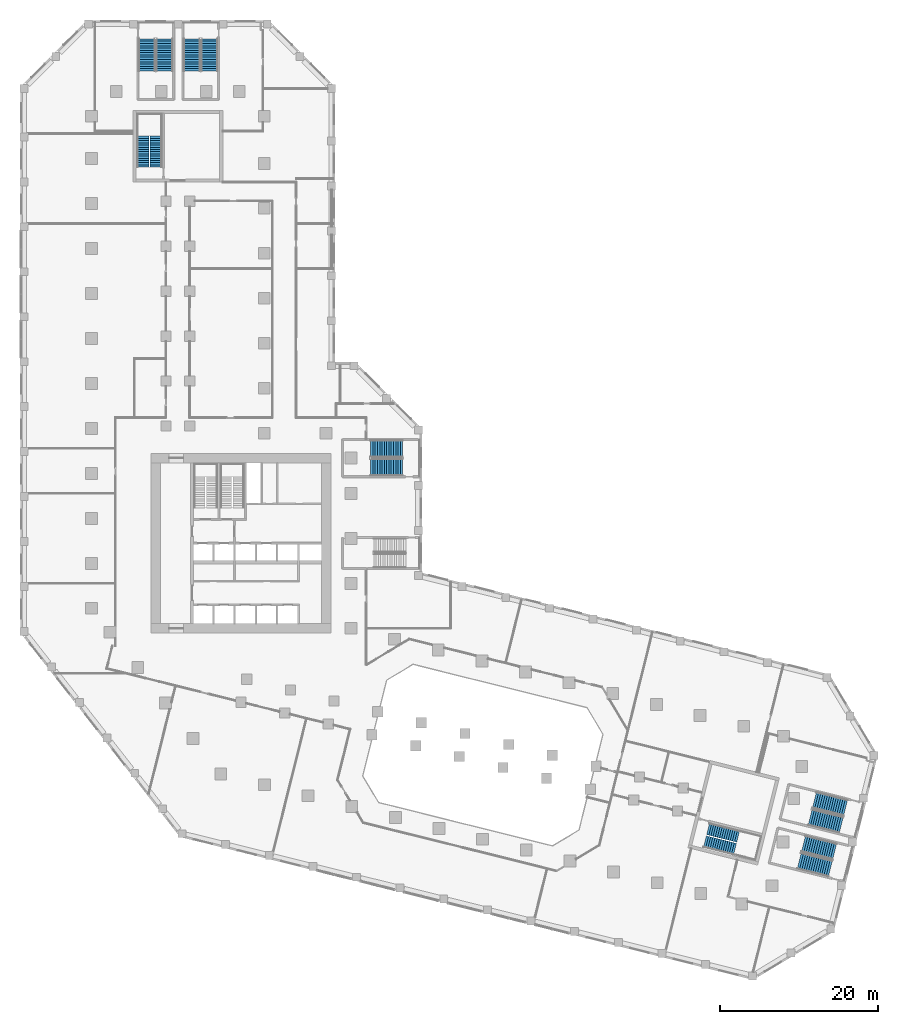
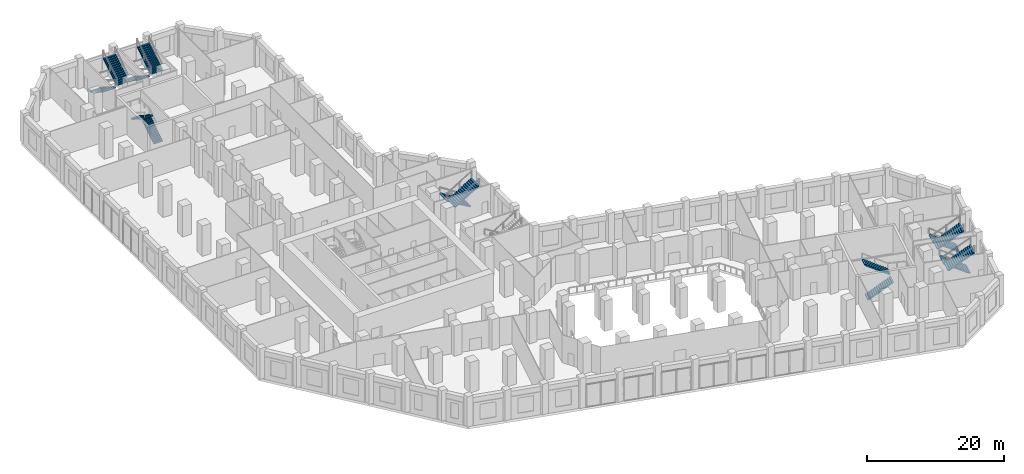
# One storey, part 18 of 23: 14 stair flights, 7 elements without a shape of their own.
"""IFC4 building model written with IfcOpenShell, lengths in metres."""

import ifcopenshell
import ifcopenshell.guid

model = None  # the IFC model being written
_history = None  # IfcOwnerHistory: only IFC2X3 demands one
_inside = {}  # id of a spatial element -> (the spatial element, [elements in it])
_under = {}  # id of a project, library or spatial element -> (it, [spatial elements below it])
_declared = {}  # id of a project -> (the project, [libraries it declares])
_typed = {}  # id of a type object -> (the type object, [elements of that type])
_made_of = {}  # id of a material, layer set ... -> (it, [elements and type objects made of it])


def new_model(schema):
    """Start an empty IFC model of exactly this schema.

    Asked for "IFC4X3", IfcOpenShell would pick the latest addendum, in which some entities
    have other attributes; the version numbers below select the first issue.
    IFC2X3 requires an IfcOwnerHistory on every rooted entity: one is made here for all.
    """
    global model, _history
    if schema == "IFC4X3":
        model = ifcopenshell.file(schema_version=(4, 3, 0, 0))
    else:
        model = ifcopenshell.file(schema=schema)
    _inside.clear()
    _under.clear()
    _declared.clear()
    _typed.clear()
    _made_of.clear()
    _history = None
    if model.schema == "IFC2X3":
        org = make("IfcOrganization", Name="unknown")
        user = make(
            "IfcPersonAndOrganization",
            ThePerson=make("IfcPerson", FamilyName="unknown"),
            TheOrganization=org,
        )
        app = make(
            "IfcApplication",
            ApplicationDeveloper=org,
            Version="unknown",
            ApplicationFullName="unknown",
            ApplicationIdentifier="unknown",
        )
        _history = make(
            "IfcOwnerHistory",
            OwningUser=user,
            OwningApplication=app,
            ChangeAction="ADDED",
            CreationDate=0,
        )
    return model


def make(cls, **values):
    """One entity of the class cls with the attributes given. An attribute that is None is left unset."""
    return model.create_entity(
        cls, **{name: value for name, value in values.items() if value is not None}
    )


def rooted(cls, **values):
    """An entity with a GlobalId (a new one), such as an element, a storey or a relation."""
    return make(cls, GlobalId=ifcopenshell.guid.new(), OwnerHistory=_history, **values)


def si_unit(unit_type, name, prefix=None):
    """IfcSIUnit, for example si_unit("LENGTHUNIT", "METRE", prefix="MILLI")."""
    return make("IfcSIUnit", UnitType=unit_type, Prefix=prefix, Name=name)


def assignment(units):
    """IfcUnitAssignment: the units of a project."""
    return None if units is None else make("IfcUnitAssignment", Units=units)


def point(xyz):
    """IfcCartesianPoint."""
    return None if xyz is None else make("IfcCartesianPoint", Coordinates=xyz)


def direction(xyz):
    """IfcDirection."""
    return None if xyz is None else make("IfcDirection", DirectionRatios=xyz)


def frame(location, z_axis=None, x_axis=None):
    """IfcAxis2Placement3D, a coordinate frame: its origin and axes. An axis left out is left unset."""
    return make(
        "IfcAxis2Placement3D",
        Location=point(location),
        Axis=direction(z_axis),
        RefDirection=direction(x_axis),
    )


def origin():
    """The frame at (0, 0, 0) with its axes left unset."""
    return frame((0.0, 0.0, 0.0))


def place(relative_to, where):
    """IfcLocalPlacement: puts the frame where relative to a parent placement (None: the world)."""
    return make(
        "IfcLocalPlacement", PlacementRelTo=relative_to, RelativePlacement=where
    )


def context(
    kind, dimensions, precision=None, world=None, true_north=None, identifier=None
):
    """IfcGeometricRepresentationContext, for example the 3D "Model" context."""
    return make(
        "IfcGeometricRepresentationContext",
        ContextIdentifier=identifier,
        ContextType=kind,
        CoordinateSpaceDimension=dimensions,
        Precision=precision,
        WorldCoordinateSystem=world,
        TrueNorth=true_north,
    )


def subcontext(parent, identifier, kind, view, scale=None):
    """IfcGeometricRepresentationSubContext, for example "Body" below "Model"."""
    return make(
        "IfcGeometricRepresentationSubContext",
        ContextIdentifier=identifier,
        ContextType=kind,
        ParentContext=parent,
        TargetScale=scale,
        TargetView=view,
    )


def project(units=None, contexts=None):
    """IfcProject with its units and contexts."""
    return rooted(
        "IfcProject",
        Name="project",
        RepresentationContexts=contexts,
        UnitsInContext=assignment(units),
    )


def spatial(cls, under=None, at=None, **own):
    """A site, building, storey or space (cls), placed at a placement, below another one or the project."""
    s = rooted(cls, ObjectPlacement=at, **own)
    if under is not None:
        _under.setdefault(under.id(), (under, []))[1].append(s)
    return s


def polyline(points):
    """IfcPolyline through the points."""
    return make("IfcPolyline", Points=[point(p) for p in points])


def outline(outer, holes=None, kind="AREA"):
    """IfcArbitraryClosedProfileDef: a profile drawn as a closed curve; with holes, ...WithVoids."""
    if holes is None:
        return make("IfcArbitraryClosedProfileDef", ProfileType=kind, OuterCurve=outer)
    return make(
        "IfcArbitraryProfileDefWithVoids",
        ProfileType=kind,
        OuterCurve=outer,
        InnerCurves=holes,
    )


def extrude(swept, where, along, depth):
    """IfcExtrudedAreaSolid: the profile swept, set in the frame where, extruded along a direction by depth."""
    return make(
        "IfcExtrudedAreaSolid",
        SweptArea=swept,
        Position=where,
        ExtrudedDirection=direction(along),
        Depth=depth,
    )


def shape(context_of_items, identifier, shape_type, items):
    """IfcShapeRepresentation: the items that make up one representation, for example the "Body"."""
    return make(
        "IfcShapeRepresentation",
        ContextOfItems=context_of_items,
        RepresentationIdentifier=identifier,
        RepresentationType=shape_type,
        Items=items,
    )


def material(Name=None, Category=None):
    """IfcMaterial."""
    return make("IfcMaterial", Name=Name, Category=Category)


def made_of(thing, what):
    """Note that an element or type object is made of a material, layer set ...; save() writes the relation."""
    if what is not None:
        _made_of.setdefault(what.id(), (what, []))[1].append(thing)
    return thing


def type_object(cls, material=None, **own):
    """A type object (cls), such as IfcWallType, which elements share."""
    return made_of(rooted(cls, **own), material)


def element(
    cls,
    number,
    at=None,
    inside=None,
    cuts=None,
    type_object=None,
    material=None,
    context=None,
    identifier="Body",
    shape_type=None,
    held_by="IfcProductDefinitionShape",
    body=None,
    shapes=None,
    **own,
):
    """One element of the class cls, such as IfcWall. Its Tag is "e" and its number.

    at: its placement. inside: the storey or other place that contains it. cuts: it is an
    opening in that element (IfcRelVoidsElement). A single representation is given by context,
    identifier, shape_type and body (its items); several are given by shapes. held_by: the class
    of the entity that holds the representations. save() writes the other relations.
    """
    e = rooted(cls, Tag="e%d" % number, ObjectPlacement=at, **own)
    if body is not None:
        shapes = [shape(context, identifier, shape_type, body)]
    if shapes is not None:
        e.Representation = make(held_by, Representations=shapes)
    if inside is not None:
        _inside.setdefault(inside.id(), (inside, []))[1].append(e)
    if cuts is not None:
        rooted(
            "IfcRelVoidsElement", RelatingBuildingElement=cuts, RelatedOpeningElement=e
        )
    if type_object is not None:
        _typed.setdefault(type_object.id(), (type_object, []))[1].append(e)
    return made_of(e, material)


def aggregate(whole, parts):
    """IfcRelAggregates: a whole, such as a stair, and the parts it consists of."""
    return rooted("IfcRelAggregates", RelatingObject=whole, RelatedObjects=parts)


def save(model, path):
    """Write the relations noted so far, then the file.

    IfcRelAggregates (storeys below a building ...), IfcRelContainedInSpatialStructure (elements
    in a storey), IfcRelDefinesByType, IfcRelAssociatesMaterial and IfcRelDeclares: one each for
    every whole, place, type object, material and project.
    """
    for whole, parts in _under.values():
        aggregate(whole, parts)
    for where, things in _inside.values():
        rooted(
            "IfcRelContainedInSpatialStructure",
            RelatedElements=things,
            RelatingStructure=where,
        )
    for kind, things in _typed.values():
        rooted("IfcRelDefinesByType", RelatedObjects=things, RelatingType=kind)
    for what, things in _made_of.values():
        rooted("IfcRelAssociatesMaterial", RelatedObjects=things, RelatingMaterial=what)
    for by, libraries in _declared.values():
        rooted("IfcRelDeclares", RelatingContext=by, RelatedDefinitions=libraries)
    model.write(path)


model = new_model("IFC4")

# Units and contexts
model_context = context("Model", 3, precision=1e-05, world=origin(), true_north=direction((0.0, 1.0)))
body_context = subcontext(model_context, "Body", "Model", "MODEL_VIEW")
ifc_project = project(units=[si_unit("LENGTHUNIT", "METRE"), si_unit("AREAUNIT", "SQUARE_METRE"), si_unit("VOLUMEUNIT", "CUBIC_METRE"), si_unit("PLANEANGLEUNIT", "RADIAN"), si_unit("MASSUNIT", "GRAM", prefix="KILO")], contexts=[model_context])

# Site, building, storey
site_placement = place(None, origin())
site = spatial("IfcSite", under=ifc_project, at=site_placement, CompositionType="ELEMENT")
building_placement = place(site_placement, origin())
building = spatial("IfcBuilding", under=site, at=building_placement, Name="Meshkara Civic Tower", CompositionType="ELEMENT")
storey_placement = place(building_placement, frame((0.0, 0.0, 7.199951171875)))
storey = spatial("IfcBuildingStorey", under=building, at=storey_placement, Name="L01", CompositionType="ELEMENT", Elevation=7.199951171875)

# Stair, stair flights
ifc_material_1 = material(Name="Precast concrete C40/50", Category="concrete")
stair_type_1 = type_object("IfcStairType", Name="Exit stair half-turn 30 risers 1500 precast", PredefinedType="HALF_TURN_STAIR", material=ifc_material_1)
stair_1_placement = place(storey_placement, origin())
stair_1 = element("IfcStair", 1, at=stair_1_placement, inside=storey, type_object=stair_type_1, Name="L01 exit stair A from B2", PredefinedType="HALF_TURN_STAIR")
ifc_material_2 = material(Name="Precast concrete C40/50", Category="concrete")
stair_flight_type_1 = type_object("IfcStairFlightType", Name="Exit stair flight 15 risers 1500 precast", PredefinedType="STRAIGHT", material=ifc_material_2)
stair_flight_1_placement = place(storey_placement, frame((8.625, 73.169921875, 0.0), z_axis=(0.0, 0.0, 1.0), x_axis=(0.0, 1.0, 0.0)))
stair_flight_1 = element("IfcStairFlight", 2, at=stair_flight_1_placement, type_object=stair_flight_type_1, Name="ESA1 flight 1", NumberOfRisers=15, NumberOfTreads=14, PredefinedType="STRAIGHT", RiserHeight=0.18, TreadLength=0.28, context=body_context, shape_type="SweptSolid", body=[
    extrude(outline(polyline([(0.0, 0.0), (0.0, 0.179931640625), (0.280029296875, 0.179931640625), (0.280029296875, 0.360107421875), (0.56005859375, 0.360107421875), (0.56005859375, 0.5400390625), (0.840087890625, 0.5400390625), (0.840087890625, 0.719970703125), (1.1201171875, 0.719970703125), (1.1201171875, 0.89990234375), (1.39990234375, 0.89990234375), (1.39990234375, 1.080078125), (1.679931640625, 1.080078125), (1.679931640625, 1.260009765625), (1.9599609375, 1.260009765625), (1.9599609375, 1.43994140625), (2.239990234375, 1.43994140625), (2.239990234375, 1.6201171875), (2.52001953125, 1.6201171875), (2.52001953125, 1.800048828125), (2.800048828125, 1.800048828125), (2.800048828125, 1.97998046875), (3.080078125, 1.97998046875), (3.080078125, 2.159912109375), (3.360107421875, 2.159912109375), (3.360107421875, 2.340087890625), (3.639892578125, 2.340087890625), (3.639892578125, 2.52001953125), (3.919921875, 2.52001953125), (3.919921875, 2.699951171875), (3.919921875, 2.341796875), (0.277099609375, 0.0), (0.0, 0.0)])), frame((0.0, 0.75, 0.0), z_axis=(0.0, -1.0, 0.0), x_axis=(1.0, 0.0, 0.0)), (0.0, 0.0, 1.0), 1.5),
])
stair_flight_2_placement = place(storey_placement, frame((6.97509765625, 77.090087890625, 2.699951171875), z_axis=(0.0, 0.0, 1.0), x_axis=(0.0, -1.0, 0.0)))
stair_flight_2 = element("IfcStairFlight", 3, at=stair_flight_2_placement, type_object=stair_flight_type_1, Name="ESA1 flight 2", NumberOfRisers=15, NumberOfTreads=14, PredefinedType="STRAIGHT", RiserHeight=0.18, TreadLength=0.28, context=body_context, shape_type="SweptSolid", body=[
    extrude(outline(polyline([(0.0, 0.0), (0.0, 0.179931640625), (0.280029296875, 0.179931640625), (0.280029296875, 0.360107421875), (0.56005859375, 0.360107421875), (0.56005859375, 0.5400390625), (0.840087890625, 0.5400390625), (0.840087890625, 0.719970703125), (1.1201171875, 0.719970703125), (1.1201171875, 0.89990234375), (1.39990234375, 0.89990234375), (1.39990234375, 1.080078125), (1.679931640625, 1.080078125), (1.679931640625, 1.260009765625), (1.9599609375, 1.260009765625), (1.9599609375, 1.43994140625), (2.239990234375, 1.43994140625), (2.239990234375, 1.6201171875), (2.52001953125, 1.6201171875), (2.52001953125, 1.800048828125), (2.800048828125, 1.800048828125), (2.800048828125, 1.97998046875), (3.080078125, 1.97998046875), (3.080078125, 2.159912109375), (3.360107421875, 2.159912109375), (3.360107421875, 2.340087890625), (3.639892578125, 2.340087890625), (3.639892578125, 2.52001953125), (3.919921875, 2.52001953125), (3.919921875, 2.699951171875), (3.919921875, 2.341796875), (0.277099609375, 0.0), (0.0, 0.0)])), frame((0.0, 0.75, 0.0), z_axis=(0.0, -1.0, 0.0), x_axis=(1.0, 0.0, 0.0)), (0.0, 0.0, 1.0), 1.5),
])
aggregate(stair_1, [stair_flight_1, stair_flight_2])

stair_2_placement = place(storey_placement, origin())
stair_2 = element("IfcStair", 4, at=stair_2_placement, inside=storey, type_object=stair_type_1, Name="L01 exit stair B from B2", PredefinedType="HALF_TURN_STAIR")
stair_flight_3_placement = place(storey_placement, frame((78.214599609375, -12.3125, 0.0), z_axis=(0.0, 0.0, 1.0), x_axis=(0.970260066579, -0.242064873955, 0.0)))
stair_flight_3 = element("IfcStairFlight", 5, at=stair_flight_3_placement, type_object=stair_flight_type_1, Name="ESB1 flight 1", NumberOfRisers=15, NumberOfTreads=14, PredefinedType="STRAIGHT", RiserHeight=0.18, TreadLength=0.28, context=body_context, shape_type="SweptSolid", body=[
    extrude(outline(polyline([(0.0, 0.0), (0.0, 0.179931640625), (0.280029296875, 0.179931640625), (0.280029296875, 0.360107421875), (0.56005859375, 0.360107421875), (0.56005859375, 0.5400390625), (0.840087890625, 0.5400390625), (0.840087890625, 0.719970703125), (1.1201171875, 0.719970703125), (1.1201171875, 0.89990234375), (1.39990234375, 0.89990234375), (1.39990234375, 1.080078125), (1.679931640625, 1.080078125), (1.679931640625, 1.260009765625), (1.9599609375, 1.260009765625), (1.9599609375, 1.43994140625), (2.239990234375, 1.43994140625), (2.239990234375, 1.6201171875), (2.52001953125, 1.6201171875), (2.52001953125, 1.800048828125), (2.800048828125, 1.800048828125), (2.800048828125, 1.97998046875), (3.080078125, 1.97998046875), (3.080078125, 2.159912109375), (3.360107421875, 2.159912109375), (3.360107421875, 2.340087890625), (3.639892578125, 2.340087890625), (3.639892578125, 2.52001953125), (3.919921875, 2.52001953125), (3.919921875, 2.699951171875), (3.919921875, 2.341796875), (0.277099609375, 0.0), (0.0, 0.0)])), frame((0.0, 0.75, 0.0), z_axis=(0.0, -1.0, 0.0), x_axis=(1.0, 0.0, 0.0)), (0.0, 0.0, 1.0), 1.5),
])
stair_flight_4_placement = place(storey_placement, frame((82.41748046875, -11.66064453125, 2.699951171875), z_axis=(0.0, 0.0, 1.0), x_axis=(-0.970260066579, 0.242064873955, 0.0)))
stair_flight_4 = element("IfcStairFlight", 6, at=stair_flight_4_placement, type_object=stair_flight_type_1, Name="ESB1 flight 2", NumberOfRisers=15, NumberOfTreads=14, PredefinedType="STRAIGHT", RiserHeight=0.18, TreadLength=0.28, context=body_context, shape_type="SweptSolid", body=[
    extrude(outline(polyline([(0.0, 0.0), (0.0, 0.179931640625), (0.280029296875, 0.179931640625), (0.280029296875, 0.360107421875), (0.56005859375, 0.360107421875), (0.56005859375, 0.5400390625), (0.840087890625, 0.5400390625), (0.840087890625, 0.719970703125), (1.1201171875, 0.719970703125), (1.1201171875, 0.89990234375), (1.39990234375, 0.89990234375), (1.39990234375, 1.080078125), (1.679931640625, 1.080078125), (1.679931640625, 1.260009765625), (1.9599609375, 1.260009765625), (1.9599609375, 1.43994140625), (2.239990234375, 1.43994140625), (2.239990234375, 1.6201171875), (2.52001953125, 1.6201171875), (2.52001953125, 1.800048828125), (2.800048828125, 1.800048828125), (2.800048828125, 1.97998046875), (3.080078125, 1.97998046875), (3.080078125, 2.159912109375), (3.360107421875, 2.159912109375), (3.360107421875, 2.340087890625), (3.639892578125, 2.340087890625), (3.639892578125, 2.52001953125), (3.919921875, 2.52001953125), (3.919921875, 2.699951171875), (3.919921875, 2.341796875), (0.277099609375, 0.0), (0.0, 0.0)])), frame((0.0, 0.75, 0.0), z_axis=(0.0, -1.0, 0.0), x_axis=(1.0, 0.0, 0.0)), (0.0, 0.0, 1.0), 1.5),
])
aggregate(stair_2, [stair_flight_3, stair_flight_4])

ifc_material_3 = material(Name="Precast concrete C40/50", Category="concrete")
stair_type_2 = type_object("IfcStairType", Name="Podium exit stair half-turn 30 risers 2100 wide precast", PredefinedType="HALF_TURN_STAIR", material=ifc_material_3)
stair_3_placement = place(storey_placement, origin())
stair_3 = element("IfcStair", 7, at=stair_3_placement, inside=storey, type_object=stair_type_2, Name="L01 podium exit stair PS1", PredefinedType="HALF_TURN_STAIR")
ifc_material_4 = material(Name="Precast concrete C40/50", Category="concrete")
stair_flight_type_2 = type_object("IfcStairFlightType", Name="Podium exit stair flight 15 risers 2100 wide precast", PredefinedType="STRAIGHT", material=ifc_material_4)
stair_flight_5_placement = place(storey_placement, frame((7.485107421875, 89.419921875, 0.0), z_axis=(0.0, 0.0, 1.0), x_axis=(0.0, -1.0, 0.0)))
stair_flight_5 = element("IfcStairFlight", 8, at=stair_flight_5_placement, type_object=stair_flight_type_2, Name="PS1 flight 1", NumberOfRisers=15, NumberOfTreads=14, PredefinedType="STRAIGHT", RiserHeight=0.18, TreadLength=0.29, context=body_context, shape_type="SweptSolid", body=[
    extrude(outline(polyline([(0.0, 0.0), (0.0, 0.179931640625), (0.2900390625, 0.179931640625), (0.2900390625, 0.360107421875), (0.580078125, 0.360107421875), (0.580078125, 0.5400390625), (0.8701171875, 0.5400390625), (0.8701171875, 0.719970703125), (1.159912109375, 0.719970703125), (1.159912109375, 0.89990234375), (1.449951171875, 0.89990234375), (1.449951171875, 1.080078125), (1.739990234375, 1.080078125), (1.739990234375, 1.260009765625), (2.030029296875, 1.260009765625), (2.030029296875, 1.43994140625), (2.320068359375, 1.43994140625), (2.320068359375, 1.6201171875), (2.610107421875, 1.6201171875), (2.610107421875, 1.800048828125), (2.89990234375, 1.800048828125), (2.89990234375, 1.97998046875), (3.18994140625, 1.97998046875), (3.18994140625, 2.159912109375), (3.47998046875, 2.159912109375), (3.47998046875, 2.340087890625), (3.77001953125, 2.340087890625), (3.77001953125, 2.52001953125), (4.06005859375, 2.52001953125), (4.06005859375, 2.699951171875), (4.06005859375, 2.343505859375), (0.2841796875, 0.0), (0.0, 0.0)])), frame((0.0, 1.050048828125, 0.0), z_axis=(0.0, -1.0, 0.0), x_axis=(1.0, 0.0, 0.0)), (0.0, 0.0, 1.0), 2.10009765625),
])
stair_flight_6_placement = place(storey_placement, frame((9.735107421875, 85.360107421875, 2.699951171875), z_axis=(0.0, 0.0, 1.0), x_axis=(0.0, 1.0, 0.0)))
stair_flight_6 = element("IfcStairFlight", 9, at=stair_flight_6_placement, type_object=stair_flight_type_2, Name="PS1 flight 2", NumberOfRisers=15, NumberOfTreads=14, PredefinedType="STRAIGHT", RiserHeight=0.18, TreadLength=0.29, context=body_context, shape_type="SweptSolid", body=[
    extrude(outline(polyline([(0.0, 0.0), (0.0, 0.179931640625), (0.2900390625, 0.179931640625), (0.2900390625, 0.360107421875), (0.580078125, 0.360107421875), (0.580078125, 0.5400390625), (0.8701171875, 0.5400390625), (0.8701171875, 0.719970703125), (1.159912109375, 0.719970703125), (1.159912109375, 0.89990234375), (1.449951171875, 0.89990234375), (1.449951171875, 1.080078125), (1.739990234375, 1.080078125), (1.739990234375, 1.260009765625), (2.030029296875, 1.260009765625), (2.030029296875, 1.43994140625), (2.320068359375, 1.43994140625), (2.320068359375, 1.6201171875), (2.610107421875, 1.6201171875), (2.610107421875, 1.800048828125), (2.89990234375, 1.800048828125), (2.89990234375, 1.97998046875), (3.18994140625, 1.97998046875), (3.18994140625, 2.159912109375), (3.47998046875, 2.159912109375), (3.47998046875, 2.340087890625), (3.77001953125, 2.340087890625), (3.77001953125, 2.52001953125), (4.06005859375, 2.52001953125), (4.06005859375, 2.699951171875), (4.06005859375, 2.343505859375), (0.2841796875, 0.0), (0.0, 0.0)])), frame((0.0, 1.050048828125, 0.0), z_axis=(0.0, -1.0, 0.0), x_axis=(1.0, 0.0, 0.0)), (0.0, 0.0, 1.0), 2.10009765625),
])
aggregate(stair_3, [stair_flight_5, stair_flight_6])

stair_4_placement = place(storey_placement, origin())
stair_4 = element("IfcStair", 10, at=stair_4_placement, inside=storey, type_object=stair_type_2, Name="L01 podium exit stair PS2", PredefinedType="HALF_TURN_STAIR")
stair_flight_7_placement = place(storey_placement, frame((13.18505859375, 89.419921875, 0.0), z_axis=(0.0, 0.0, 1.0), x_axis=(0.0, -1.0, 0.0)))
stair_flight_7 = element("IfcStairFlight", 11, at=stair_flight_7_placement, type_object=stair_flight_type_2, Name="PS2 flight 1", NumberOfRisers=15, NumberOfTreads=14, PredefinedType="STRAIGHT", RiserHeight=0.18, TreadLength=0.29, context=body_context, shape_type="SweptSolid", body=[
    extrude(outline(polyline([(0.0, 0.0), (0.0, 0.179931640625), (0.2900390625, 0.179931640625), (0.2900390625, 0.360107421875), (0.580078125, 0.360107421875), (0.580078125, 0.5400390625), (0.8701171875, 0.5400390625), (0.8701171875, 0.719970703125), (1.159912109375, 0.719970703125), (1.159912109375, 0.89990234375), (1.449951171875, 0.89990234375), (1.449951171875, 1.080078125), (1.739990234375, 1.080078125), (1.739990234375, 1.260009765625), (2.030029296875, 1.260009765625), (2.030029296875, 1.43994140625), (2.320068359375, 1.43994140625), (2.320068359375, 1.6201171875), (2.610107421875, 1.6201171875), (2.610107421875, 1.800048828125), (2.89990234375, 1.800048828125), (2.89990234375, 1.97998046875), (3.18994140625, 1.97998046875), (3.18994140625, 2.159912109375), (3.47998046875, 2.159912109375), (3.47998046875, 2.340087890625), (3.77001953125, 2.340087890625), (3.77001953125, 2.52001953125), (4.06005859375, 2.52001953125), (4.06005859375, 2.699951171875), (4.06005859375, 2.343505859375), (0.2841796875, 0.0), (0.0, 0.0)])), frame((0.0, 1.050048828125, 0.0), z_axis=(0.0, -1.0, 0.0), x_axis=(1.0, 0.0, 0.0)), (0.0, 0.0, 1.0), 2.10009765625),
])
stair_flight_8_placement = place(storey_placement, frame((15.43505859375, 85.360107421875, 2.699951171875), z_axis=(0.0, 0.0, 1.0), x_axis=(0.0, 1.0, 0.0)))
stair_flight_8 = element("IfcStairFlight", 12, at=stair_flight_8_placement, type_object=stair_flight_type_2, Name="PS2 flight 2", NumberOfRisers=15, NumberOfTreads=14, PredefinedType="STRAIGHT", RiserHeight=0.18, TreadLength=0.29, context=body_context, shape_type="SweptSolid", body=[
    extrude(outline(polyline([(0.0, 0.0), (0.0, 0.179931640625), (0.2900390625, 0.179931640625), (0.2900390625, 0.360107421875), (0.580078125, 0.360107421875), (0.580078125, 0.5400390625), (0.8701171875, 0.5400390625), (0.8701171875, 0.719970703125), (1.159912109375, 0.719970703125), (1.159912109375, 0.89990234375), (1.449951171875, 0.89990234375), (1.449951171875, 1.080078125), (1.739990234375, 1.080078125), (1.739990234375, 1.260009765625), (2.030029296875, 1.260009765625), (2.030029296875, 1.43994140625), (2.320068359375, 1.43994140625), (2.320068359375, 1.6201171875), (2.610107421875, 1.6201171875), (2.610107421875, 1.800048828125), (2.89990234375, 1.800048828125), (2.89990234375, 1.97998046875), (3.18994140625, 1.97998046875), (3.18994140625, 2.159912109375), (3.47998046875, 2.159912109375), (3.47998046875, 2.340087890625), (3.77001953125, 2.340087890625), (3.77001953125, 2.52001953125), (4.06005859375, 2.52001953125), (4.06005859375, 2.699951171875), (4.06005859375, 2.343505859375), (0.2841796875, 0.0), (0.0, 0.0)])), frame((0.0, 1.050048828125, 0.0), z_axis=(0.0, -1.0, 0.0), x_axis=(1.0, 0.0, 0.0)), (0.0, 0.0, 1.0), 2.10009765625),
])
aggregate(stair_4, [stair_flight_7, stair_flight_8])

stair_5_placement = place(storey_placement, origin())
stair_5 = element("IfcStair", 13, at=stair_5_placement, inside=storey, type_object=stair_type_2, Name="L01 podium exit stair PS3", PredefinedType="HALF_TURN_STAIR")
stair_flight_9_placement = place(storey_placement, frame((94.6494140625, -13.565673828125, 0.0), z_axis=(0.0, 0.0, 1.0), x_axis=(-0.970295726276, 0.2419218956, 0.0)))
stair_flight_9 = element("IfcStairFlight", 14, at=stair_flight_9_placement, type_object=stair_flight_type_2, Name="PS3 flight 1", NumberOfRisers=15, NumberOfTreads=14, PredefinedType="STRAIGHT", RiserHeight=0.18, TreadLength=0.29, context=body_context, shape_type="SweptSolid", body=[
    extrude(outline(polyline([(0.0, 0.0), (0.0, 0.179931640625), (0.2900390625, 0.179931640625), (0.2900390625, 0.360107421875), (0.580078125, 0.360107421875), (0.580078125, 0.5400390625), (0.8701171875, 0.5400390625), (0.8701171875, 0.719970703125), (1.159912109375, 0.719970703125), (1.159912109375, 0.89990234375), (1.449951171875, 0.89990234375), (1.449951171875, 1.080078125), (1.739990234375, 1.080078125), (1.739990234375, 1.260009765625), (2.030029296875, 1.260009765625), (2.030029296875, 1.43994140625), (2.320068359375, 1.43994140625), (2.320068359375, 1.6201171875), (2.610107421875, 1.6201171875), (2.610107421875, 1.800048828125), (2.89990234375, 1.800048828125), (2.89990234375, 1.97998046875), (3.18994140625, 1.97998046875), (3.18994140625, 2.159912109375), (3.47998046875, 2.159912109375), (3.47998046875, 2.340087890625), (3.77001953125, 2.340087890625), (3.77001953125, 2.52001953125), (4.06005859375, 2.52001953125), (4.06005859375, 2.699951171875), (4.06005859375, 2.343505859375), (0.2841796875, 0.0), (0.0, 0.0)])), frame((0.0, 1.050048828125, 0.0), z_axis=(0.0, -1.0, 0.0), x_axis=(1.0, 0.0, 0.0)), (0.0, 0.0, 1.0), 2.10009765625),
])
stair_flight_10_placement = place(storey_placement, frame((90.16552734375, -14.766845703125, 2.699951171875), z_axis=(0.0, 0.0, 1.0), x_axis=(0.970295726276, -0.2419218956, 0.0)))
stair_flight_10 = element("IfcStairFlight", 15, at=stair_flight_10_placement, type_object=stair_flight_type_2, Name="PS3 flight 2", NumberOfRisers=15, NumberOfTreads=14, PredefinedType="STRAIGHT", RiserHeight=0.18, TreadLength=0.29, context=body_context, shape_type="SweptSolid", body=[
    extrude(outline(polyline([(0.0, 0.0), (0.0, 0.179931640625), (0.2900390625, 0.179931640625), (0.2900390625, 0.360107421875), (0.580078125, 0.360107421875), (0.580078125, 0.5400390625), (0.8701171875, 0.5400390625), (0.8701171875, 0.719970703125), (1.159912109375, 0.719970703125), (1.159912109375, 0.89990234375), (1.449951171875, 0.89990234375), (1.449951171875, 1.080078125), (1.739990234375, 1.080078125), (1.739990234375, 1.260009765625), (2.030029296875, 1.260009765625), (2.030029296875, 1.43994140625), (2.320068359375, 1.43994140625), (2.320068359375, 1.6201171875), (2.610107421875, 1.6201171875), (2.610107421875, 1.800048828125), (2.89990234375, 1.800048828125), (2.89990234375, 1.97998046875), (3.18994140625, 1.97998046875), (3.18994140625, 2.159912109375), (3.47998046875, 2.159912109375), (3.47998046875, 2.340087890625), (3.77001953125, 2.340087890625), (3.77001953125, 2.52001953125), (4.06005859375, 2.52001953125), (4.06005859375, 2.699951171875), (4.06005859375, 2.343505859375), (0.2841796875, 0.0), (0.0, 0.0)])), frame((0.0, 1.050048828125, 0.0), z_axis=(0.0, -1.0, 0.0), x_axis=(1.0, 0.0, 0.0)), (0.0, 0.0, 1.0), 2.10009765625),
])
aggregate(stair_5, [stair_flight_9, stair_flight_10])

stair_6_placement = place(storey_placement, origin())
stair_6 = element("IfcStair", 16, at=stair_6_placement, inside=storey, type_object=stair_type_2, Name="L01 podium exit stair PS4", PredefinedType="HALF_TURN_STAIR")
stair_flight_11_placement = place(storey_placement, frame((96.0283203125, -8.03466796875, 0.0), z_axis=(0.0, 0.0, 1.0), x_axis=(-0.970295726276, 0.2419218956, 0.0)))
stair_flight_11 = element("IfcStairFlight", 17, at=stair_flight_11_placement, type_object=stair_flight_type_2, Name="PS4 flight 1", NumberOfRisers=15, NumberOfTreads=14, PredefinedType="STRAIGHT", RiserHeight=0.18, TreadLength=0.29, context=body_context, shape_type="SweptSolid", body=[
    extrude(outline(polyline([(0.0, 0.0), (0.0, 0.179931640625), (0.2900390625, 0.179931640625), (0.2900390625, 0.360107421875), (0.580078125, 0.360107421875), (0.580078125, 0.5400390625), (0.8701171875, 0.5400390625), (0.8701171875, 0.719970703125), (1.159912109375, 0.719970703125), (1.159912109375, 0.89990234375), (1.449951171875, 0.89990234375), (1.449951171875, 1.080078125), (1.739990234375, 1.080078125), (1.739990234375, 1.260009765625), (2.030029296875, 1.260009765625), (2.030029296875, 1.43994140625), (2.320068359375, 1.43994140625), (2.320068359375, 1.6201171875), (2.610107421875, 1.6201171875), (2.610107421875, 1.800048828125), (2.89990234375, 1.800048828125), (2.89990234375, 1.97998046875), (3.18994140625, 1.97998046875), (3.18994140625, 2.159912109375), (3.47998046875, 2.159912109375), (3.47998046875, 2.340087890625), (3.77001953125, 2.340087890625), (3.77001953125, 2.52001953125), (4.06005859375, 2.52001953125), (4.06005859375, 2.699951171875), (4.06005859375, 2.343505859375), (0.2841796875, 0.0), (0.0, 0.0)])), frame((0.0, 1.050048828125, 0.0), z_axis=(0.0, -1.0, 0.0), x_axis=(1.0, 0.0, 0.0)), (0.0, 0.0, 1.0), 2.10009765625),
])
stair_flight_12_placement = place(storey_placement, frame((91.544677734375, -9.23583984375, 2.699951171875), z_axis=(0.0, 0.0, 1.0), x_axis=(0.970295726276, -0.2419218956, 0.0)))
stair_flight_12 = element("IfcStairFlight", 18, at=stair_flight_12_placement, type_object=stair_flight_type_2, Name="PS4 flight 2", NumberOfRisers=15, NumberOfTreads=14, PredefinedType="STRAIGHT", RiserHeight=0.18, TreadLength=0.29, context=body_context, shape_type="SweptSolid", body=[
    extrude(outline(polyline([(0.0, 0.0), (0.0, 0.179931640625), (0.2900390625, 0.179931640625), (0.2900390625, 0.360107421875), (0.580078125, 0.360107421875), (0.580078125, 0.5400390625), (0.8701171875, 0.5400390625), (0.8701171875, 0.719970703125), (1.159912109375, 0.719970703125), (1.159912109375, 0.89990234375), (1.449951171875, 0.89990234375), (1.449951171875, 1.080078125), (1.739990234375, 1.080078125), (1.739990234375, 1.260009765625), (2.030029296875, 1.260009765625), (2.030029296875, 1.43994140625), (2.320068359375, 1.43994140625), (2.320068359375, 1.6201171875), (2.610107421875, 1.6201171875), (2.610107421875, 1.800048828125), (2.89990234375, 1.800048828125), (2.89990234375, 1.97998046875), (3.18994140625, 1.97998046875), (3.18994140625, 2.159912109375), (3.47998046875, 2.159912109375), (3.47998046875, 2.340087890625), (3.77001953125, 2.340087890625), (3.77001953125, 2.52001953125), (4.06005859375, 2.52001953125), (4.06005859375, 2.699951171875), (4.06005859375, 2.343505859375), (0.2841796875, 0.0), (0.0, 0.0)])), frame((0.0, 1.050048828125, 0.0), z_axis=(0.0, -1.0, 0.0), x_axis=(1.0, 0.0, 0.0)), (0.0, 0.0, 1.0), 2.10009765625),
])
aggregate(stair_6, [stair_flight_11, stair_flight_12])

ifc_material_5 = material(Name="Precast concrete C40/50", Category="concrete")
stair_type_3 = type_object("IfcStairType", Name="Podium exit stair half-turn 30 risers 2200 wide precast", PredefinedType="HALF_TURN_STAIR", material=ifc_material_5)
stair_7_placement = place(storey_placement, origin())
stair_7 = element("IfcStair", 19, at=stair_7_placement, inside=storey, type_object=stair_type_3, Name="L01 podium exit stair PS6", PredefinedType="HALF_TURN_STAIR")
ifc_material_6 = material(Name="Precast concrete C40/50", Category="concrete")
stair_flight_type_3 = type_object("IfcStairFlightType", Name="Podium exit stair flight 15 risers 2200 wide precast", PredefinedType="STRAIGHT", material=ifc_material_6)
stair_flight_13_placement = place(storey_placement, frame((39.89990234375, 37.47509765625, 0.0), z_axis=(0.0, 0.0, 1.0), x_axis=(-1.0, 0.0, 0.0)))
stair_flight_13 = element("IfcStairFlight", 20, at=stair_flight_13_placement, type_object=stair_flight_type_3, Name="PS6 flight 1", NumberOfRisers=15, NumberOfTreads=14, PredefinedType="STRAIGHT", RiserHeight=0.18, TreadLength=0.29, context=body_context, shape_type="SweptSolid", body=[
    extrude(outline(polyline([(0.0, 0.0), (0.0, 0.179931640625), (0.2900390625, 0.179931640625), (0.2900390625, 0.360107421875), (0.580078125, 0.360107421875), (0.580078125, 0.5400390625), (0.8701171875, 0.5400390625), (0.8701171875, 0.719970703125), (1.159912109375, 0.719970703125), (1.159912109375, 0.89990234375), (1.449951171875, 0.89990234375), (1.449951171875, 1.080078125), (1.739990234375, 1.080078125), (1.739990234375, 1.260009765625), (2.030029296875, 1.260009765625), (2.030029296875, 1.43994140625), (2.320068359375, 1.43994140625), (2.320068359375, 1.6201171875), (2.610107421875, 1.6201171875), (2.610107421875, 1.800048828125), (2.89990234375, 1.800048828125), (2.89990234375, 1.97998046875), (3.18994140625, 1.97998046875), (3.18994140625, 2.159912109375), (3.47998046875, 2.159912109375), (3.47998046875, 2.340087890625), (3.77001953125, 2.340087890625), (3.77001953125, 2.52001953125), (4.06005859375, 2.52001953125), (4.06005859375, 2.699951171875), (4.06005859375, 2.343505859375), (0.2841796875, 0.0), (0.0, 0.0)])), frame((0.0, 1.10009765625, 0.0), z_axis=(0.0, -1.0, 0.0), x_axis=(1.0, 0.0, 0.0)), (0.0, 0.0, 1.0), 2.199951171875),
])
stair_flight_14_placement = place(storey_placement, frame((35.840087890625, 35.125, 2.699951171875), z_axis=(0.0, 0.0, 1.0), x_axis=(1.0, 0.0, 0.0)))
stair_flight_14 = element("IfcStairFlight", 21, at=stair_flight_14_placement, type_object=stair_flight_type_3, Name="PS6 flight 2", NumberOfRisers=15, NumberOfTreads=14, PredefinedType="STRAIGHT", RiserHeight=0.18, TreadLength=0.29, context=body_context, shape_type="SweptSolid", body=[
    extrude(outline(polyline([(0.0, 0.0), (0.0, 0.179931640625), (0.2900390625, 0.179931640625), (0.2900390625, 0.360107421875), (0.580078125, 0.360107421875), (0.580078125, 0.5400390625), (0.8701171875, 0.5400390625), (0.8701171875, 0.719970703125), (1.159912109375, 0.719970703125), (1.159912109375, 0.89990234375), (1.449951171875, 0.89990234375), (1.449951171875, 1.080078125), (1.739990234375, 1.080078125), (1.739990234375, 1.260009765625), (2.030029296875, 1.260009765625), (2.030029296875, 1.43994140625), (2.320068359375, 1.43994140625), (2.320068359375, 1.6201171875), (2.610107421875, 1.6201171875), (2.610107421875, 1.800048828125), (2.89990234375, 1.800048828125), (2.89990234375, 1.97998046875), (3.18994140625, 1.97998046875), (3.18994140625, 2.159912109375), (3.47998046875, 2.159912109375), (3.47998046875, 2.340087890625), (3.77001953125, 2.340087890625), (3.77001953125, 2.52001953125), (4.06005859375, 2.52001953125), (4.06005859375, 2.699951171875), (4.06005859375, 2.343505859375), (0.2841796875, 0.0), (0.0, 0.0)])), frame((0.0, 1.10009765625, 0.0), z_axis=(0.0, -1.0, 0.0), x_axis=(1.0, 0.0, 0.0)), (0.0, 0.0, 1.0), 2.199951171875),
])
aggregate(stair_7, [stair_flight_13, stair_flight_14])

save(model, "model.ifc")
